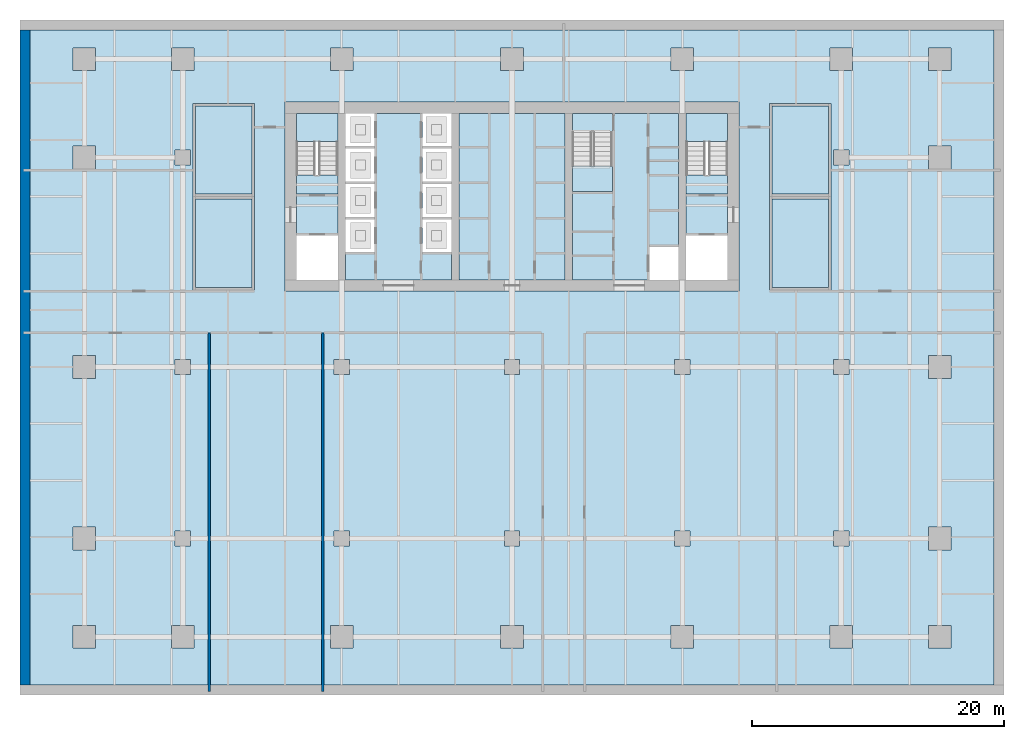
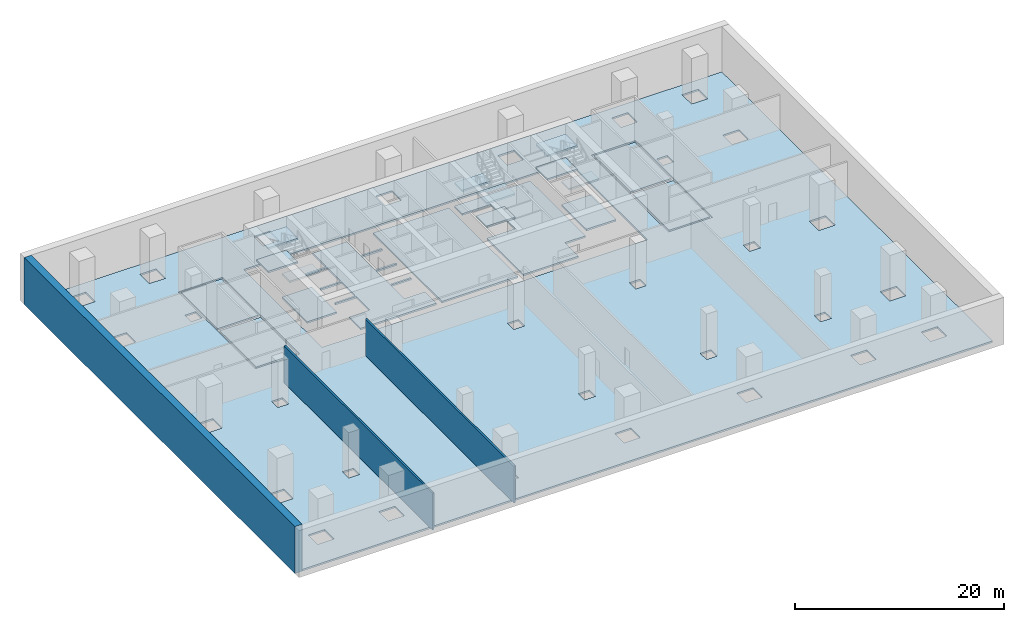
# One storey, part 3 of 11: 19 slabs, 3 walls, 3 elements without a shape of their own.
"""IFC4 building model written with IfcOpenShell, lengths in metres."""

import ifcopenshell
import ifcopenshell.guid

model = None  # the IFC model being written
_history = None  # IfcOwnerHistory: only IFC2X3 demands one
_inside = {}  # id of a spatial element -> (the spatial element, [elements in it])
_under = {}  # id of a project, library or spatial element -> (it, [spatial elements below it])
_declared = {}  # id of a project -> (the project, [libraries it declares])
_typed = {}  # id of a type object -> (the type object, [elements of that type])
_made_of = {}  # id of a material, layer set ... -> (it, [elements and type objects made of it])


def new_model(schema):
    """Start an empty IFC model of exactly this schema.

    Asked for "IFC4X3", IfcOpenShell would pick the latest addendum, in which some entities
    have other attributes; the version numbers below select the first issue.
    IFC2X3 requires an IfcOwnerHistory on every rooted entity: one is made here for all.
    """
    global model, _history
    if schema == "IFC4X3":
        model = ifcopenshell.file(schema_version=(4, 3, 0, 0))
    else:
        model = ifcopenshell.file(schema=schema)
    _inside.clear()
    _under.clear()
    _declared.clear()
    _typed.clear()
    _made_of.clear()
    _history = None
    if model.schema == "IFC2X3":
        org = make("IfcOrganization", Name="unknown")
        user = make(
            "IfcPersonAndOrganization",
            ThePerson=make("IfcPerson", FamilyName="unknown"),
            TheOrganization=org,
        )
        app = make(
            "IfcApplication",
            ApplicationDeveloper=org,
            Version="unknown",
            ApplicationFullName="unknown",
            ApplicationIdentifier="unknown",
        )
        _history = make(
            "IfcOwnerHistory",
            OwningUser=user,
            OwningApplication=app,
            ChangeAction="ADDED",
            CreationDate=0,
        )
    return model


def make(cls, **values):
    """One entity of the class cls with the attributes given. An attribute that is None is left unset."""
    return model.create_entity(
        cls, **{name: value for name, value in values.items() if value is not None}
    )


def rooted(cls, **values):
    """An entity with a GlobalId (a new one), such as an element, a storey or a relation."""
    return make(cls, GlobalId=ifcopenshell.guid.new(), OwnerHistory=_history, **values)


def si_unit(unit_type, name, prefix=None):
    """IfcSIUnit, for example si_unit("LENGTHUNIT", "METRE", prefix="MILLI")."""
    return make("IfcSIUnit", UnitType=unit_type, Prefix=prefix, Name=name)


def assignment(units):
    """IfcUnitAssignment: the units of a project."""
    return None if units is None else make("IfcUnitAssignment", Units=units)


def point(xyz):
    """IfcCartesianPoint."""
    return None if xyz is None else make("IfcCartesianPoint", Coordinates=xyz)


def direction(xyz):
    """IfcDirection."""
    return None if xyz is None else make("IfcDirection", DirectionRatios=xyz)


def frame(location, z_axis=None, x_axis=None):
    """IfcAxis2Placement3D, a coordinate frame: its origin and axes. An axis left out is left unset."""
    return make(
        "IfcAxis2Placement3D",
        Location=point(location),
        Axis=direction(z_axis),
        RefDirection=direction(x_axis),
    )


def frame_2d(location, x_axis=None):
    """IfcAxis2Placement2D, a coordinate frame in the plane: its origin and x axis."""
    return make(
        "IfcAxis2Placement2D", Location=point(location), RefDirection=direction(x_axis)
    )


def origin():
    """The frame at (0, 0, 0) with its axes left unset."""
    return frame((0.0, 0.0, 0.0))


def place(relative_to, where):
    """IfcLocalPlacement: puts the frame where relative to a parent placement (None: the world)."""
    return make(
        "IfcLocalPlacement", PlacementRelTo=relative_to, RelativePlacement=where
    )


def context(
    kind, dimensions, precision=None, world=None, true_north=None, identifier=None
):
    """IfcGeometricRepresentationContext, for example the 3D "Model" context."""
    return make(
        "IfcGeometricRepresentationContext",
        ContextIdentifier=identifier,
        ContextType=kind,
        CoordinateSpaceDimension=dimensions,
        Precision=precision,
        WorldCoordinateSystem=world,
        TrueNorth=true_north,
    )


def subcontext(parent, identifier, kind, view, scale=None):
    """IfcGeometricRepresentationSubContext, for example "Body" below "Model"."""
    return make(
        "IfcGeometricRepresentationSubContext",
        ContextIdentifier=identifier,
        ContextType=kind,
        ParentContext=parent,
        TargetScale=scale,
        TargetView=view,
    )


def project(units=None, contexts=None):
    """IfcProject with its units and contexts."""
    return rooted(
        "IfcProject",
        Name="project",
        RepresentationContexts=contexts,
        UnitsInContext=assignment(units),
    )


def spatial(cls, under=None, at=None, **own):
    """A site, building, storey or space (cls), placed at a placement, below another one or the project."""
    s = rooted(cls, ObjectPlacement=at, **own)
    if under is not None:
        _under.setdefault(under.id(), (under, []))[1].append(s)
    return s


def polyline(points):
    """IfcPolyline through the points."""
    return make("IfcPolyline", Points=[point(p) for p in points])


def profile(cls, at=None, kind="AREA", **sizes):
    """A parametric profile (cls). Its sizes go by their IFC names, for example OverallWidth=200.0."""
    return make(cls, ProfileType=kind, Position=at, **sizes)


def rectangle(**sizes):
    """IfcRectangleProfileDef."""
    return profile("IfcRectangleProfileDef", **sizes)


def outline(outer, holes=None, kind="AREA"):
    """IfcArbitraryClosedProfileDef: a profile drawn as a closed curve; with holes, ...WithVoids."""
    if holes is None:
        return make("IfcArbitraryClosedProfileDef", ProfileType=kind, OuterCurve=outer)
    return make(
        "IfcArbitraryProfileDefWithVoids",
        ProfileType=kind,
        OuterCurve=outer,
        InnerCurves=holes,
    )


def extrude(swept, where, along, depth):
    """IfcExtrudedAreaSolid: the profile swept, set in the frame where, extruded along a direction by depth."""
    return make(
        "IfcExtrudedAreaSolid",
        SweptArea=swept,
        Position=where,
        ExtrudedDirection=direction(along),
        Depth=depth,
    )


def shape(context_of_items, identifier, shape_type, items):
    """IfcShapeRepresentation: the items that make up one representation, for example the "Body"."""
    return make(
        "IfcShapeRepresentation",
        ContextOfItems=context_of_items,
        RepresentationIdentifier=identifier,
        RepresentationType=shape_type,
        Items=items,
    )


def material(Name=None, Category=None):
    """IfcMaterial."""
    return make("IfcMaterial", Name=Name, Category=Category)


def layer(
    of_material, thickness, ventilated=None, Name=None, Category=None, Priority=None
):
    """IfcMaterialLayer: one layer of a wall or slab, of a material (None: an air gap)."""
    return make(
        "IfcMaterialLayer",
        Material=of_material,
        LayerThickness=thickness,
        IsVentilated=ventilated,
        Name=Name,
        Category=Category,
        Priority=Priority,
    )


def layer_set(layers, Name=None):
    """IfcMaterialLayerSet."""
    return make("IfcMaterialLayerSet", MaterialLayers=layers, LayerSetName=Name)


def made_of(thing, what):
    """Note that an element or type object is made of a material, layer set ...; save() writes the relation."""
    if what is not None:
        _made_of.setdefault(what.id(), (what, []))[1].append(thing)
    return thing


def type_object(cls, material=None, **own):
    """A type object (cls), such as IfcWallType, which elements share."""
    return made_of(rooted(cls, **own), material)


def element(
    cls,
    number,
    at=None,
    inside=None,
    cuts=None,
    type_object=None,
    material=None,
    context=None,
    identifier="Body",
    shape_type=None,
    held_by="IfcProductDefinitionShape",
    body=None,
    shapes=None,
    **own,
):
    """One element of the class cls, such as IfcWall. Its Tag is "e" and its number.

    at: its placement. inside: the storey or other place that contains it. cuts: it is an
    opening in that element (IfcRelVoidsElement). A single representation is given by context,
    identifier, shape_type and body (its items); several are given by shapes. held_by: the class
    of the entity that holds the representations. save() writes the other relations.
    """
    e = rooted(cls, Tag="e%d" % number, ObjectPlacement=at, **own)
    if body is not None:
        shapes = [shape(context, identifier, shape_type, body)]
    if shapes is not None:
        e.Representation = make(held_by, Representations=shapes)
    if inside is not None:
        _inside.setdefault(inside.id(), (inside, []))[1].append(e)
    if cuts is not None:
        rooted(
            "IfcRelVoidsElement", RelatingBuildingElement=cuts, RelatedOpeningElement=e
        )
    if type_object is not None:
        _typed.setdefault(type_object.id(), (type_object, []))[1].append(e)
    return made_of(e, material)


def aggregate(whole, parts):
    """IfcRelAggregates: a whole, such as a stair, and the parts it consists of."""
    return rooted("IfcRelAggregates", RelatingObject=whole, RelatedObjects=parts)


def save(model, path):
    """Write the relations noted so far, then the file.

    IfcRelAggregates (storeys below a building ...), IfcRelContainedInSpatialStructure (elements
    in a storey), IfcRelDefinesByType, IfcRelAssociatesMaterial and IfcRelDeclares: one each for
    every whole, place, type object, material and project.
    """
    for whole, parts in _under.values():
        aggregate(whole, parts)
    for where, things in _inside.values():
        rooted(
            "IfcRelContainedInSpatialStructure",
            RelatedElements=things,
            RelatingStructure=where,
        )
    for kind, things in _typed.values():
        rooted("IfcRelDefinesByType", RelatedObjects=things, RelatingType=kind)
    for what, things in _made_of.values():
        rooted("IfcRelAssociatesMaterial", RelatedObjects=things, RelatingMaterial=what)
    for by, libraries in _declared.values():
        rooted("IfcRelDeclares", RelatingContext=by, RelatedDefinitions=libraries)
    model.write(path)


model = new_model("IFC4")

# Units and contexts
model_context = context("Model", 3, precision=1e-05, world=origin(), true_north=direction((0.0, 1.0)))
body_context = subcontext(model_context, "Body", "Model", "MODEL_VIEW")
ifc_project = project(units=[si_unit("LENGTHUNIT", "METRE"), si_unit("AREAUNIT", "SQUARE_METRE"), si_unit("VOLUMEUNIT", "CUBIC_METRE"), si_unit("PLANEANGLEUNIT", "RADIAN"), si_unit("MASSUNIT", "GRAM", prefix="KILO")], contexts=[model_context])

# Site, building, storey
site_placement = place(None, origin())
site = spatial("IfcSite", under=ifc_project, at=site_placement, CompositionType="ELEMENT")
building_placement = place(site_placement, origin())
building = spatial("IfcBuilding", under=site, at=building_placement, Name="Rattan Terrace Tower", CompositionType="ELEMENT")
storey_placement = place(building_placement, frame((0.0, 0.0, -5.5)))
storey = spatial("IfcBuildingStorey", under=building, at=storey_placement, Name="B1", CompositionType="ELEMENT", Elevation=-5.5)

# Stair, slabs
ifc_material_1 = material(Name="Concrete C40/50", Category="concrete")
stair_type = type_object("IfcStairType", Name="Core exit stair 1500", PredefinedType="HALF_TURN_STAIR", material=ifc_material_1)
stair_1_placement = place(storey_placement, origin())
stair_1 = element("IfcStair", 1, at=stair_1_placement, inside=storey, type_object=stair_type, Name="B1 exit stair 1", PredefinedType="HALF_TURN_STAIR")
ifc_material_2 = material(Name="Concrete C40/50", Category="concrete")
ifc_layer_1 = layer(ifc_material_2, 0.199951171875)
ifc_layer_set_1 = layer_set([ifc_layer_1], Name="Core exit stair landing")
slab_type_1 = type_object("IfcSlabType", Name="Core exit stair landing", PredefinedType="LANDING", material=ifc_layer_set_1)
slab_1_placement = place(storey_placement, frame((0.0, 0.0, 1.175048828125)))
slab_1 = element("IfcSlab", 2, at=slab_1_placement, type_object=slab_type_1, Name="S1 landing 1", PredefinedType="LANDING", context=body_context, shape_type="SweptSolid", body=[
    extrude(outline(polyline([(-13.800048828125, 4.360107421875), (-13.800048828125, 6.60009765625), (-17.10009765625, 6.60009765625), (-17.10009765625, 4.360107421875), (-13.800048828125, 4.360107421875)])), origin(), (0.0, 0.0, 1.0), 0.199951171875),
])
slab_2_placement = place(storey_placement, frame((0.0, 0.0, 2.550048828125)))
slab_2 = element("IfcSlab", 3, at=slab_2_placement, type_object=slab_type_1, Name="S1 landing 2", PredefinedType="LANDING", context=body_context, shape_type="SweptSolid", body=[
    extrude(outline(polyline([(-13.800048828125, 0.199951171875), (-13.800048828125, 1.699951171875), (-17.10009765625, 1.699951171875), (-17.10009765625, 0.199951171875), (-13.800048828125, 0.199951171875)])), origin(), (0.0, 0.0, 1.0), 0.199951171875),
])
slab_3_placement = place(storey_placement, frame((0.0, 0.0, 3.925048828125)))
slab_3 = element("IfcSlab", 4, at=slab_3_placement, type_object=slab_type_1, Name="S1 landing 3", PredefinedType="LANDING", context=body_context, shape_type="SweptSolid", body=[
    extrude(outline(polyline([(-13.800048828125, 4.360107421875), (-13.800048828125, 6.60009765625), (-17.10009765625, 6.60009765625), (-17.10009765625, 4.360107421875), (-13.800048828125, 4.360107421875)])), origin(), (0.0, 0.0, 1.0), 0.199951171875),
])
aggregate(stair_1, [slab_1, slab_2, slab_3])

stair_2_placement = place(storey_placement, origin())
stair_2 = element("IfcStair", 5, at=stair_2_placement, inside=storey, type_object=stair_type, Name="B1 exit stair 2", PredefinedType="HALF_TURN_STAIR")
slab_4_placement = place(storey_placement, frame((0.0, 0.0, 1.175048828125)))
slab_4 = element("IfcSlab", 6, at=slab_4_placement, type_object=slab_type_1, Name="S2 landing 1", PredefinedType="LANDING", context=body_context, shape_type="SweptSolid", body=[
    extrude(outline(polyline([(17.10009765625, 4.360107421875), (17.10009765625, 6.60009765625), (13.800048828125, 6.60009765625), (13.800048828125, 4.360107421875), (17.10009765625, 4.360107421875)])), origin(), (0.0, 0.0, 1.0), 0.199951171875),
])
slab_5_placement = place(storey_placement, frame((0.0, 0.0, 2.550048828125)))
slab_5 = element("IfcSlab", 7, at=slab_5_placement, type_object=slab_type_1, Name="S2 landing 2", PredefinedType="LANDING", context=body_context, shape_type="SweptSolid", body=[
    extrude(outline(polyline([(17.10009765625, 0.199951171875), (17.10009765625, 1.699951171875), (13.800048828125, 1.699951171875), (13.800048828125, 0.199951171875), (17.10009765625, 0.199951171875)])), origin(), (0.0, 0.0, 1.0), 0.199951171875),
])
slab_6_placement = place(storey_placement, frame((0.0, 0.0, 3.925048828125)))
slab_6 = element("IfcSlab", 8, at=slab_6_placement, type_object=slab_type_1, Name="S2 landing 3", PredefinedType="LANDING", context=body_context, shape_type="SweptSolid", body=[
    extrude(outline(polyline([(17.10009765625, 4.360107421875), (17.10009765625, 6.60009765625), (13.800048828125, 6.60009765625), (13.800048828125, 4.360107421875), (17.10009765625, 4.360107421875)])), origin(), (0.0, 0.0, 1.0), 0.199951171875),
])
aggregate(stair_2, [slab_4, slab_5, slab_6])

stair_3_placement = place(storey_placement, origin())
stair_3 = element("IfcStair", 9, at=stair_3_placement, inside=storey, type_object=stair_type, Name="B1 exit stair 3", PredefinedType="HALF_TURN_STAIR")
slab_7_placement = place(storey_placement, frame((0.0, 0.0, 1.175048828125)))
slab_7 = element("IfcSlab", 10, at=slab_7_placement, type_object=slab_type_1, Name="S3 landing 1", PredefinedType="LANDING", context=body_context, shape_type="SweptSolid", body=[
    extrude(outline(polyline([(4.800048828125, 2.43994140625), (4.800048828125, 0.39990234375), (7.949951171875, 0.39990234375), (7.949951171875, 2.43994140625), (4.800048828125, 2.43994140625)])), origin(), (0.0, 0.0, 1.0), 0.199951171875),
])
slab_8_placement = place(storey_placement, frame((0.0, 0.0, 2.550048828125)))
slab_8 = element("IfcSlab", 11, at=slab_8_placement, type_object=slab_type_1, Name="S3 landing 2", PredefinedType="LANDING", context=body_context, shape_type="SweptSolid", body=[
    extrude(outline(polyline([(4.800048828125, 6.60009765625), (4.800048828125, 5.10009765625), (7.949951171875, 5.10009765625), (7.949951171875, 6.60009765625), (4.800048828125, 6.60009765625)])), origin(), (0.0, 0.0, 1.0), 0.199951171875),
])
slab_9_placement = place(storey_placement, frame((0.0, 0.0, 3.925048828125)))
slab_9 = element("IfcSlab", 12, at=slab_9_placement, type_object=slab_type_1, Name="S3 landing 3", PredefinedType="LANDING", context=body_context, shape_type="SweptSolid", body=[
    extrude(outline(polyline([(4.800048828125, 2.43994140625), (4.800048828125, 0.39990234375), (7.949951171875, 0.39990234375), (7.949951171875, 2.43994140625), (4.800048828125, 2.43994140625)])), origin(), (0.0, 0.0, 1.0), 0.199951171875),
])
aggregate(stair_3, [slab_7, slab_8, slab_9])

# Slabs
ifc_material_3 = material(Name="Concrete C35/45", Category="concrete")
ifc_layer_2 = layer(ifc_material_3, 0.199951171875)
ifc_layer_set_2 = layer_set([ifc_layer_2], Name="Frame composite floor slab 200")
slab_type_2 = type_object("IfcSlabType", Name="Frame composite floor slab 200", PredefinedType="FLOOR", material=ifc_layer_set_2)
slab_10_placement = place(storey_placement, frame((0.0, 0.0, -0.199951171875)))
element("IfcSlab", 13, at=slab_10_placement, inside=storey, type_object=slab_type_2, Name="Floor slab", PredefinedType="FLOOR", context=body_context, shape_type="SweptSolid", body=[
    extrude(outline(polyline([(-38.199951171875, -38.699951171875), (38.199951171875, -38.699951171875), (38.199951171875, 13.199951171875), (-38.199951171875, 13.199951171875), (-38.199951171875, -38.699951171875)]), holes=[polyline([(-14.39990234375, -34.0), (-14.39990234375, -35.800048828125), (-12.60009765625, -35.800048828125), (-12.60009765625, -34.0), (-14.39990234375, -34.0)]), polyline([(-34.800048828125, -34.0), (-34.800048828125, -35.800048828125), (-33.0, -35.800048828125), (-33.0, -34.0), (-34.800048828125, -34.0)]), polyline([(-27.0, -34.0), (-27.0, -35.800048828125), (-25.199951171875, -35.800048828125), (-25.199951171875, -34.0), (-27.0, -34.0)]), polyline([(-34.800048828125, -28.0), (-33.0, -28.0), (-33.0, -26.199951171875), (-34.800048828125, -26.199951171875), (-34.800048828125, -28.0)]), polyline([(-26.699951171875, -26.5), (-26.699951171875, -27.699951171875), (-25.5, -27.699951171875), (-25.5, -26.5), (-26.699951171875, -26.5)]), polyline([(-34.800048828125, -14.39990234375), (-33.0, -14.39990234375), (-33.0, -12.60009765625), (-34.800048828125, -12.60009765625), (-34.800048828125, -14.39990234375)]), polyline([(-14.10009765625, -12.89990234375), (-14.10009765625, -14.10009765625), (-12.89990234375, -14.10009765625), (-12.89990234375, -12.89990234375), (-14.10009765625, -12.89990234375)]), polyline([(-26.699951171875, -12.89990234375), (-26.699951171875, -14.10009765625), (-25.5, -14.10009765625), (-25.5, -12.89990234375), (-26.699951171875, -12.89990234375)]), polyline([(-20.60009765625, -7.39990234375), (-20.39990234375, -7.39990234375), (-20.39990234375, 0.0), (-20.39990234375, 7.39990234375), (-20.60009765625, 7.39990234375), (-20.60009765625, 7.39990234375), (-25.10009765625, 7.39990234375), (-25.10009765625, 7.39990234375), (-25.300048828125, 7.39990234375), (-25.300048828125, 0.0), (-25.300048828125, -7.39990234375), (-25.10009765625, -7.39990234375), (-25.10009765625, -7.39990234375), (-20.60009765625, -7.39990234375), (-20.60009765625, -7.39990234375)]), polyline([(18.0, -6.60009765625), (18.0, 6.60009765625), (18.0, 7.5), (-18.0, 7.5), (-18.0, 6.60009765625), (-18.0, -6.60009765625), (-18.0, -7.5), (18.0, -7.5), (18.0, -6.60009765625)]), polyline([(-34.800048828125, 4.0), (-34.800048828125, 2.199951171875), (-33.0, 2.199951171875), (-33.0, 4.0), (-34.800048828125, 4.0)]), polyline([(-25.5, 3.699951171875), (-26.699951171875, 3.699951171875), (-26.699951171875, 2.5), (-25.5, 2.5), (-25.5, 3.699951171875)]), polyline([(-14.39990234375, 11.800048828125), (-14.39990234375, 10.0), (-12.60009765625, 10.0), (-12.60009765625, 11.800048828125), (-14.39990234375, 11.800048828125)]), polyline([(-34.800048828125, 11.800048828125), (-34.800048828125, 10.0), (-33.0, 10.0), (-33.0, 11.800048828125), (-34.800048828125, 11.800048828125)]), polyline([(-27.0, 11.800048828125), (-27.0, 10.0), (-25.199951171875, 10.0), (-25.199951171875, 11.800048828125), (-27.0, 11.800048828125)]), polyline([(14.39990234375, -34.0), (12.60009765625, -34.0), (12.60009765625, -35.800048828125), (14.39990234375, -35.800048828125), (14.39990234375, -34.0)]), polyline([(0.89990234375, -34.0), (-0.89990234375, -34.0), (-0.89990234375, -35.800048828125), (0.89990234375, -35.800048828125), (0.89990234375, -34.0)]), polyline([(-14.10009765625, -26.5), (-14.10009765625, -27.699951171875), (-12.89990234375, -27.699951171875), (-12.89990234375, -26.5), (-14.10009765625, -26.5)]), polyline([(-0.60009765625, -26.5), (-0.60009765625, -27.699951171875), (0.60009765625, -27.699951171875), (0.60009765625, -26.5), (-0.60009765625, -26.5)]), polyline([(12.89990234375, -12.89990234375), (12.89990234375, -14.10009765625), (14.10009765625, -14.10009765625), (14.10009765625, -12.89990234375), (12.89990234375, -12.89990234375)]), polyline([(-0.60009765625, -12.89990234375), (-0.60009765625, -14.10009765625), (0.60009765625, -14.10009765625), (0.60009765625, -12.89990234375), (-0.60009765625, -12.89990234375)]), polyline([(-0.89990234375, 11.800048828125), (-0.89990234375, 10.0), (0.89990234375, 10.0), (0.89990234375, 11.800048828125), (-0.89990234375, 11.800048828125)]), polyline([(12.60009765625, 11.800048828125), (12.60009765625, 10.0), (14.39990234375, 10.0), (14.39990234375, 11.800048828125), (12.60009765625, 11.800048828125)]), polyline([(33.0, -34.0), (33.0, -35.800048828125), (34.800048828125, -35.800048828125), (34.800048828125, -34.0), (33.0, -34.0)]), polyline([(25.199951171875, -34.0), (25.199951171875, -35.800048828125), (27.0, -35.800048828125), (27.0, -34.0), (25.199951171875, -34.0)]), polyline([(14.10009765625, -26.5), (12.89990234375, -26.5), (12.89990234375, -27.699951171875), (14.10009765625, -27.699951171875), (14.10009765625, -26.5)]), polyline([(33.0, -26.199951171875), (33.0, -28.0), (34.800048828125, -28.0), (34.800048828125, -26.199951171875), (33.0, -26.199951171875)]), polyline([(25.5, -26.5), (25.5, -27.699951171875), (26.699951171875, -27.699951171875), (26.699951171875, -26.5), (25.5, -26.5)]), polyline([(33.0, -14.39990234375), (34.800048828125, -14.39990234375), (34.800048828125, -12.60009765625), (33.0, -12.60009765625), (33.0, -14.39990234375)]), polyline([(25.5, -12.89990234375), (25.5, -14.10009765625), (26.699951171875, -14.10009765625), (26.699951171875, -12.89990234375), (25.5, -12.89990234375)]), polyline([(20.60009765625, -7.39990234375), (20.60009765625, -7.39990234375), (25.10009765625, -7.39990234375), (25.10009765625, -7.39990234375), (25.300048828125, -7.39990234375), (25.300048828125, 0.0), (25.300048828125, 7.39990234375), (25.10009765625, 7.39990234375), (25.10009765625, 7.39990234375), (20.60009765625, 7.39990234375), (20.60009765625, 7.39990234375), (20.39990234375, 7.39990234375), (20.39990234375, 0.0), (20.39990234375, -7.39990234375), (20.60009765625, -7.39990234375)]), polyline([(25.5, 3.699951171875), (25.5, 2.5), (26.699951171875, 2.5), (26.699951171875, 3.699951171875), (25.5, 3.699951171875)]), polyline([(33.0, 2.199951171875), (34.800048828125, 2.199951171875), (34.800048828125, 4.0), (33.0, 4.0), (33.0, 2.199951171875)]), polyline([(27.0, 11.800048828125), (25.199951171875, 11.800048828125), (25.199951171875, 10.0), (27.0, 10.0), (27.0, 11.800048828125)]), polyline([(34.800048828125, 11.800048828125), (33.0, 11.800048828125), (33.0, 10.0), (34.800048828125, 10.0), (34.800048828125, 11.800048828125)])]), origin(), (0.0, 0.0, 1.0), 0.199951171875),
])
slab_11_placement = place(storey_placement, frame((0.0, 0.0, -0.199951171875)))
element("IfcSlab", 14, at=slab_11_placement, inside=storey, type_object=slab_type_2, Name="Floor slab", PredefinedType="FLOOR", context=body_context, shape_type="SweptSolid", body=[
    extrude(outline(polyline([(-20.60009765625, 0.199951171875), (-20.60009765625, 7.199951171875), (-25.10009765625, 7.199951171875), (-25.10009765625, 0.199951171875), (-20.60009765625, 0.199951171875)])), origin(), (0.0, 0.0, 1.0), 0.199951171875),
])
slab_12_placement = place(storey_placement, frame((0.0, 0.0, -0.199951171875)))
element("IfcSlab", 15, at=slab_12_placement, inside=storey, type_object=slab_type_2, Name="Floor slab", PredefinedType="FLOOR", context=body_context, shape_type="SweptSolid", body=[
    extrude(outline(polyline([(-25.10009765625, -7.199951171875), (-20.60009765625, -7.199951171875), (-20.60009765625, -0.199951171875), (-25.10009765625, -0.199951171875), (-25.10009765625, -7.199951171875)])), origin(), (0.0, 0.0, 1.0), 0.199951171875),
])
slab_13_placement = place(storey_placement, frame((0.0, 0.0, -0.199951171875)))
element("IfcSlab", 16, at=slab_13_placement, inside=storey, type_object=slab_type_2, Name="Floor slab", PredefinedType="FLOOR", context=body_context, shape_type="SweptSolid", body=[
    extrude(outline(polyline([(-13.800048828125, 1.7099609375), (-17.10009765625, 1.7099609375), (-17.10009765625, -3.10009765625), (-13.800048828125, -3.10009765625), (-13.800048828125, 1.7099609375)])), origin(), (0.0, 0.0, 1.0), 0.199951171875),
])
slab_14_placement = place(storey_placement, frame((0.0, 0.0, -0.199951171875)))
element("IfcSlab", 17, at=slab_14_placement, inside=storey, type_object=slab_type_2, Name="Floor slab", PredefinedType="FLOOR", context=body_context, shape_type="SweptSolid", body=[
    extrude(outline(polyline([(-13.199951171875, -6.60009765625), (-4.800048828125, -6.60009765625), (-4.800048828125, -4.39990234375), (-7.10009765625, -4.39990234375), (-7.10009765625, -1.800048828125), (-4.800048828125, -1.800048828125), (-4.800048828125, -1.60009765625), (-7.10009765625, -1.60009765625), (-7.10009765625, 1.0), (-4.800048828125, 1.0), (-4.800048828125, 1.199951171875), (-7.10009765625, 1.199951171875), (-7.10009765625, 3.800048828125), (-4.800048828125, 3.800048828125), (-4.800048828125, 4.0), (-7.10009765625, 4.0), (-7.10009765625, 6.60009765625), (-10.89990234375, 6.60009765625), (-10.89990234375, 4.0), (-13.199951171875, 4.0), (-13.199951171875, 3.800048828125), (-10.89990234375, 3.800048828125), (-10.89990234375, 1.199951171875), (-13.199951171875, 1.199951171875), (-13.199951171875, 1.0), (-10.89990234375, 1.0), (-10.89990234375, -1.60009765625), (-13.199951171875, -1.60009765625), (-13.199951171875, -1.800048828125), (-10.89990234375, -1.800048828125), (-10.89990234375, -4.39990234375), (-13.199951171875, -4.39990234375), (-13.199951171875, -6.60009765625)])), origin(), (0.0, 0.0, 1.0), 0.199951171875),
])
slab_15_placement = place(storey_placement, frame((0.0, 0.0, -0.199951171875)))
element("IfcSlab", 18, at=slab_15_placement, inside=storey, type_object=slab_type_2, Name="Floor slab", PredefinedType="FLOOR", context=body_context, shape_type="SweptSolid", body=[
    extrude(outline(polyline([(-4.199951171875, -6.60009765625), (4.199951171875, -6.60009765625), (4.199951171875, 6.60009765625), (-4.199951171875, 6.60009765625), (-4.199951171875, -6.60009765625)])), origin(), (0.0, 0.0, 1.0), 0.199951171875),
])
slab_16_placement = place(storey_placement, frame((0.0, 0.0, -0.199951171875)))
element("IfcSlab", 19, at=slab_16_placement, inside=storey, type_object=slab_type_2, Name="Floor slab", PredefinedType="FLOOR", context=body_context, shape_type="SweptSolid", body=[
    extrude(outline(polyline([(4.800048828125, -6.60009765625), (10.89990234375, -6.60009765625), (10.89990234375, -4.0), (13.199951171875, -4.0), (13.199951171875, 6.60009765625), (4.800048828125, 6.60009765625), (4.800048828125, 5.090087890625), (7.949951171875, 5.090087890625), (7.949951171875, 0.39990234375), (4.800048828125, 0.39990234375), (4.800048828125, -6.60009765625)])), origin(), (0.0, 0.0, 1.0), 0.199951171875),
])
slab_17_placement = place(storey_placement, frame((0.0, 0.0, -0.199951171875)))
element("IfcSlab", 20, at=slab_17_placement, inside=storey, type_object=slab_type_2, Name="Floor slab", PredefinedType="FLOOR", context=body_context, shape_type="SweptSolid", body=[
    extrude(outline(polyline([(13.800048828125, -3.10009765625), (17.10009765625, -3.10009765625), (17.10009765625, 1.7099609375), (13.800048828125, 1.7099609375), (13.800048828125, -3.10009765625)])), origin(), (0.0, 0.0, 1.0), 0.199951171875),
])
slab_18_placement = place(storey_placement, frame((0.0, 0.0, -0.199951171875)))
element("IfcSlab", 21, at=slab_18_placement, inside=storey, type_object=slab_type_2, Name="Floor slab", PredefinedType="FLOOR", context=body_context, shape_type="SweptSolid", body=[
    extrude(outline(polyline([(20.60009765625, -0.199951171875), (20.60009765625, -7.199951171875), (25.10009765625, -7.199951171875), (25.10009765625, -0.199951171875), (20.60009765625, -0.199951171875)])), origin(), (0.0, 0.0, 1.0), 0.199951171875),
])
slab_19_placement = place(storey_placement, frame((0.0, 0.0, -0.199951171875)))
element("IfcSlab", 22, at=slab_19_placement, inside=storey, type_object=slab_type_2, Name="Floor slab", PredefinedType="FLOOR", context=body_context, shape_type="SweptSolid", body=[
    extrude(outline(polyline([(20.60009765625, 7.199951171875), (20.60009765625, 0.199951171875), (25.10009765625, 0.199951171875), (25.10009765625, 7.199951171875), (20.60009765625, 7.199951171875)])), origin(), (0.0, 0.0, 1.0), 0.199951171875),
])

# Walls
ifc_material_4 = material(Name="Concrete block wall, plastered", Category="concrete")
ifc_layer_3 = layer(ifc_material_4, 0.199951171875)
ifc_layer_set_3 = layer_set([ifc_layer_3], Name="Floors Plant Wall 200")
wall_type_1 = type_object("IfcWallType", Name="Floors Plant Wall 200", PredefinedType="PARTITIONING", material=ifc_layer_set_3)
for number, where, z_axis, x_axis, name in (
    (23, (-24.0, -10.800048828125, 0.0), (0.0, 0.0, 1.0), (0.0, -1.0, 0.0), "pt-B1-012"),
    (24, (-15.0, -10.800048828125, 0.0), (0.0, 0.0, 1.0), (0.0, -1.0, 0.0), "pt-B1-013"),
):
    element("IfcWall", number, at=place(storey_placement, frame(where, z_axis=z_axis, x_axis=x_axis)), inside=storey, type_object=wall_type_1, Name=name, PredefinedType="PARTITIONING", context=body_context, shape_type="SweptSolid", body=[
        extrude(rectangle(XDim=28.43994140625, YDim=0.199951171875, at=frame_2d((14.219970703125, 0.0))), origin(), (0.0, 0.0, 1.0), 4.300048828125),
    ])
ifc_material_5 = material(Name="Concrete C40/50", Category="concrete")
ifc_layer_4 = layer(ifc_material_5, 0.800048828125)
ifc_layer_set_4 = layer_set([ifc_layer_4], Name="Frame basement wall 800")
wall_type_2 = type_object("IfcWallType", Name="Frame basement wall 800", PredefinedType="SOLIDWALL", material=ifc_layer_set_4)
wall_placement = place(storey_placement, frame((-38.60009765625, -38.699951171875, -0.199951171875), z_axis=(0.0, 0.0, 1.0), x_axis=(0.0, 1.0, 0.0)))
element("IfcWall", 25, at=wall_placement, inside=storey, type_object=wall_type_2, Name="Basement wall", PredefinedType="SOLIDWALL", context=body_context, shape_type="SweptSolid", body=[
    extrude(rectangle(XDim=51.89990234375, YDim=0.800048828125, at=frame_2d((25.949951171875, 0.0))), origin(), (0.0, 0.0, 1.0), 5.5),
])

save(model, "model.ifc")
